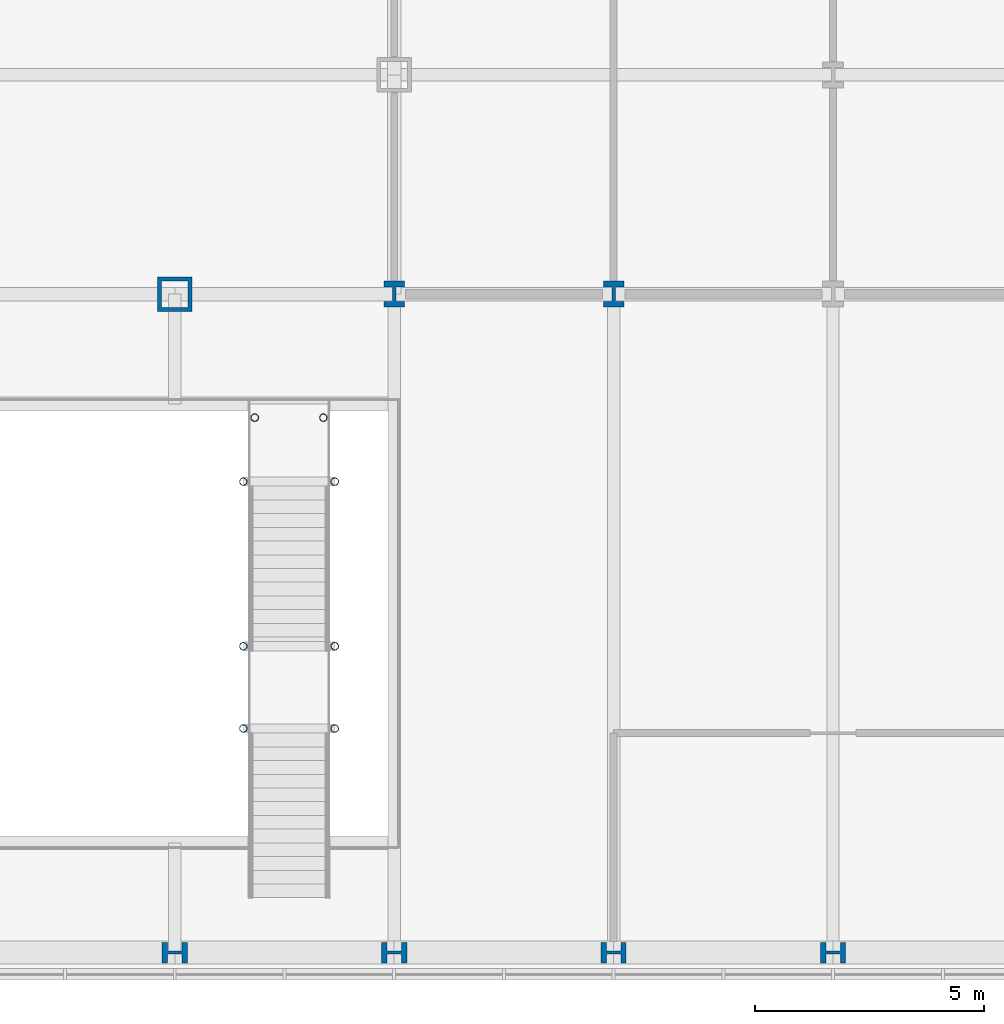
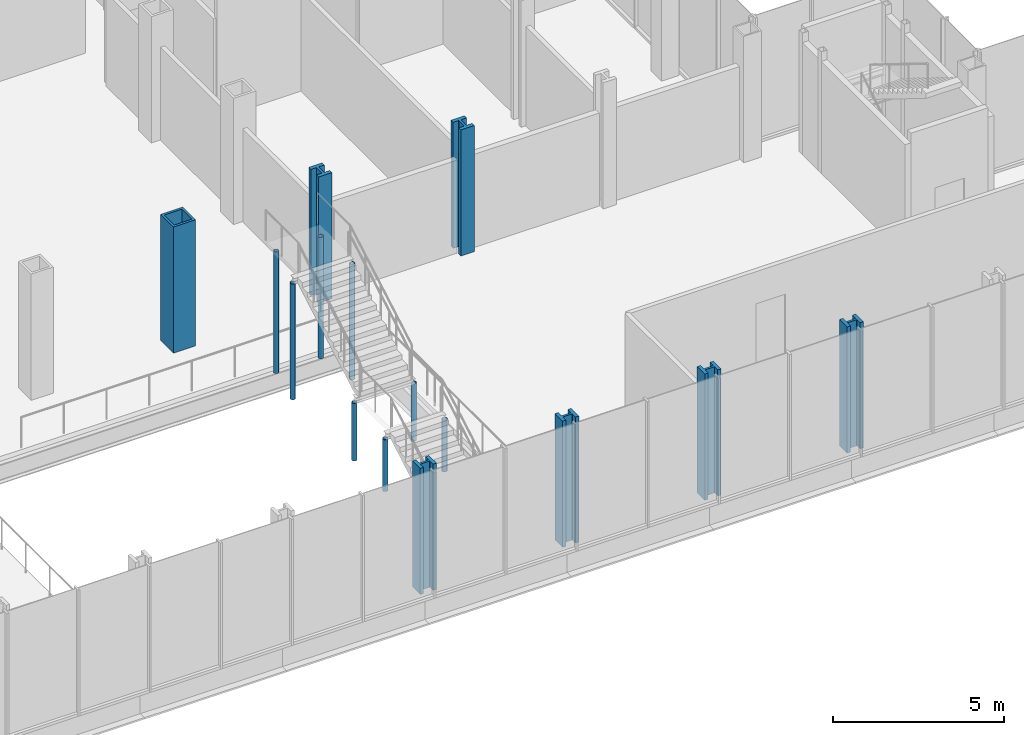
# One storey, part 4 of 28: 15 columns.
"""IFC4 building model written with IfcOpenShell, lengths in metres."""

from ifc_helpers import new_model, si_unit, direction, frame, origin, origin_2d, place, context, subcontext, project, spatial, hollow_rectangle, hollow_circle, i_section, extrude, material, material_profile, profile_set, type_object, element, save


model = new_model("IFC4")

# Units and contexts
model_context = context("Model", 3, precision=1e-05, world=origin(), true_north=direction((0.0, 1.0)))
body_context = subcontext(model_context, "Body", "Model", "MODEL_VIEW")
ifc_project = project(units=[si_unit("LENGTHUNIT", "METRE"), si_unit("AREAUNIT", "SQUARE_METRE"), si_unit("VOLUMEUNIT", "CUBIC_METRE"), si_unit("PLANEANGLEUNIT", "RADIAN"), si_unit("MASSUNIT", "GRAM", prefix="KILO")], contexts=[model_context])

# Site, building, storey
site_placement = place(None, origin())
site = spatial("IfcSite", under=ifc_project, at=site_placement, CompositionType="ELEMENT")
building_placement = place(site_placement, origin())
building = spatial("IfcBuilding", under=site, at=building_placement, Name="Kvirike Care Tower", CompositionType="ELEMENT")
storey_placement = place(building_placement, frame((0.0, 0.0, 4.5)))
storey = spatial("IfcBuildingStorey", under=building, at=storey_placement, Name="L01", CompositionType="ELEMENT", Elevation=4.5)

# Columns
ifc_material_1 = material(Name="Steel S460", Category="steel")
ifc_material_profile_1 = material_profile(ifc_material_1, hollow_rectangle(XDim=0.75, YDim=0.75, WallThickness=0.080078125, at=origin_2d()), Name="BX 750x750x80")
ifc_profile_set_1 = profile_set([ifc_material_profile_1], Name="Steel S460")
column_type_1 = type_object("IfcColumnType", Name="COLUMN BX 750x750x80", PredefinedType="COLUMN", material=ifc_profile_set_1)
column_placement = place(storey_placement, frame((24.0, 14.39990234375, 0.0), z_axis=(0.0, 0.0, 1.0), x_axis=(1.0, 0.0, 0.0)))
element("IfcColumn", 1, at=column_placement, inside=storey, type_object=column_type_1, Name="Column D8 L01", PredefinedType="COLUMN", context=body_context, shape_type="SweptSolid", body=[
    extrude(hollow_rectangle(XDim=0.75, YDim=0.75, WallThickness=0.080078125, at=origin_2d()), origin(), (0.0, 0.0, 1.0), 4.5),
])
ifc_material_2 = material(Name="Steel S460", Category="steel")
ifc_material_profile_2 = material_profile(ifc_material_2, i_section(OverallWidth=0.4541015625, OverallDepth=0.569091796875, WebThickness=0.077880859375, FlangeThickness=0.125, FilletRadius=0.014892578125, at=origin_2d()), Name="HD 400x1086")
ifc_profile_set_2 = profile_set([ifc_material_profile_2], Name="Steel S460")
column_type_2 = type_object("IfcColumnType", Name="COLUMN HD 400x1086", PredefinedType="COLUMN", material=ifc_profile_set_2)
for number, where, z_axis, x_axis, name in (
    (2, (28.800048828125, 14.39990234375, 0.0), (0.0, 0.0, 1.0), (1.0, 0.0, 0.0), "Column D9 L01"),
    (3, (33.60009765625, 14.39990234375, 0.0), (0.0, 0.0, 1.0), (1.0, 0.0, 0.0), "Column D10 L01"),
):
    element("IfcColumn", number, at=place(storey_placement, frame(where, z_axis=z_axis, x_axis=x_axis)), inside=storey, type_object=column_type_2, Name=name, PredefinedType="COLUMN", context=body_context, shape_type="SweptSolid", body=[
        extrude(i_section(OverallWidth=0.4541015625, OverallDepth=0.569091796875, WebThickness=0.077880859375, FlangeThickness=0.125, FilletRadius=0.014892578125, at=origin_2d()), origin(), (0.0, 0.0, 1.0), 4.5),
    ])
ifc_material_3 = material(Name="Steel S460", Category="steel")
ifc_material_profile_3 = material_profile(ifc_material_3, i_section(OverallWidth=0.447998046875, OverallDepth=0.550048828125, WebThickness=0.072021484375, FlangeThickness=0.114990234375, FilletRadius=0.014892578125, at=origin_2d()), Name="HD 400x990")
ifc_profile_set_3 = profile_set([ifc_material_profile_3], Name="Steel S460")
column_type_3 = type_object("IfcColumnType", Name="COLUMN HD 400x990", PredefinedType="COLUMN", material=ifc_profile_set_3)
for number, where, z_axis, x_axis, name in (
    (4, (24.0, 0.0, 0.0), (0.0, 0.0, 1.0), (0.0, 1.0, 0.0), "Column A8 L01"),
    (5, (28.800048828125, 0.0, 0.0), (0.0, 0.0, 1.0), (0.0, 1.0, 0.0), "Column A9 L01"),
    (6, (33.60009765625, 0.0, 0.0), (0.0, 0.0, 1.0), (0.0, 1.0, 0.0), "Column A10 L01"),
    (7, (38.39990234375, 0.0, 0.0), (0.0, 0.0, 1.0), (0.0, 1.0, 0.0), "Column A11 L01"),
):
    element("IfcColumn", number, at=place(storey_placement, frame(where, z_axis=z_axis, x_axis=x_axis)), inside=storey, type_object=column_type_3, Name=name, PredefinedType="COLUMN", context=body_context, shape_type="SweptSolid", body=[
        extrude(i_section(OverallWidth=0.447998046875, OverallDepth=0.550048828125, WebThickness=0.072021484375, FlangeThickness=0.114990234375, FilletRadius=0.014892578125, at=origin_2d()), origin(), (0.0, 0.0, 1.0), 4.5),
    ])
ifc_material_4 = material(Name="Steel S355", Category="steel")
ifc_material_profile_4 = material_profile(ifc_material_4, hollow_circle(Radius=0.084228515625, WallThickness=0.008056640625, at=origin_2d()), Name="CHS 168.3x8")
ifc_profile_set_4 = profile_set([ifc_material_profile_4], Name="Steel S355")
column_type_4 = type_object("IfcColumnType", Name="FEATURE STAIR POST CHS 168.3x8", PredefinedType="COLUMN", material=ifc_profile_set_4)
for number, where, z_axis, x_axis, name in (
    (8, (25.5, 4.89990234375, 0.0), (0.0, 0.0, 1.0), (1.0, 0.0, 0.0), "Feature stair FB landing post SW part 2"),
    (9, (27.5, 4.89990234375, 0.0), (0.0, 0.0, 1.0), (1.0, 0.0, 0.0), "Feature stair FB landing post SE part 2"),
):
    element("IfcColumn", number, at=place(storey_placement, frame(where, z_axis=z_axis, x_axis=x_axis)), inside=storey, type_object=column_type_4, Name=name, PredefinedType="COLUMN", context=body_context, shape_type="SweptSolid", body=[
        extrude(hollow_circle(Radius=0.084228515625, WallThickness=0.008056640625, at=origin_2d()), origin(), (0.0, 0.0, 1.0), 1.85009765625),
    ])
for number, where, z_axis, x_axis, name in (
    (10, (25.5, 6.699951171875, 0.0), (0.0, 0.0, 1.0), (1.0, 0.0, 0.0), "Feature stair FB landing post NW part 2"),
    (11, (27.5, 6.699951171875, 0.0), (0.0, 0.0, 1.0), (1.0, 0.0, 0.0), "Feature stair FB landing post NE part 2"),
):
    element("IfcColumn", number, at=place(storey_placement, frame(where, z_axis=z_axis, x_axis=x_axis)), inside=storey, type_object=column_type_4, Name=name, PredefinedType="COLUMN", context=body_context, shape_type="SweptSolid", body=[
        extrude(hollow_circle(Radius=0.084228515625, WallThickness=0.008056640625, at=origin_2d()), origin(), (0.0, 0.0, 1.0), 2.050048828125),
    ])
for number, where, z_axis, x_axis, name in (
    (12, (25.5, 10.300048828125, 0.0), (0.0, 0.0, 1.0), (1.0, 0.0, 0.0), "Feature stair FB landing post TW part 2"),
    (13, (27.5, 10.300048828125, 0.0), (0.0, 0.0, 1.0), (1.0, 0.0, 0.0), "Feature stair FB landing post TE part 2"),
):
    element("IfcColumn", number, at=place(storey_placement, frame(where, z_axis=z_axis, x_axis=x_axis)), inside=storey, type_object=column_type_4, Name=name, PredefinedType="COLUMN", context=body_context, shape_type="SweptSolid", body=[
        extrude(hollow_circle(Radius=0.084228515625, WallThickness=0.008056640625, at=origin_2d()), origin(), (0.0, 0.0, 1.0), 4.1298828125),
    ])
for number, where, z_axis, x_axis, name in (
    (14, (25.75, 11.699951171875, 0.0), (0.0, 0.0, 1.0), (1.0, 0.0, 0.0), "Feature stair FB landing post UW part 2"),
    (15, (27.25, 11.699951171875, 0.0), (0.0, 0.0, 1.0), (1.0, 0.0, 0.0), "Feature stair FB landing post UE part 2"),
):
    element("IfcColumn", number, at=place(storey_placement, frame(where, z_axis=z_axis, x_axis=x_axis)), inside=storey, type_object=column_type_4, Name=name, PredefinedType="COLUMN", context=body_context, shape_type="SweptSolid", body=[
        extrude(hollow_circle(Radius=0.084228515625, WallThickness=0.008056640625, at=origin_2d()), origin(), (0.0, 0.0, 1.0), 4.330078125),
    ])

save(model, "model.ifc")
